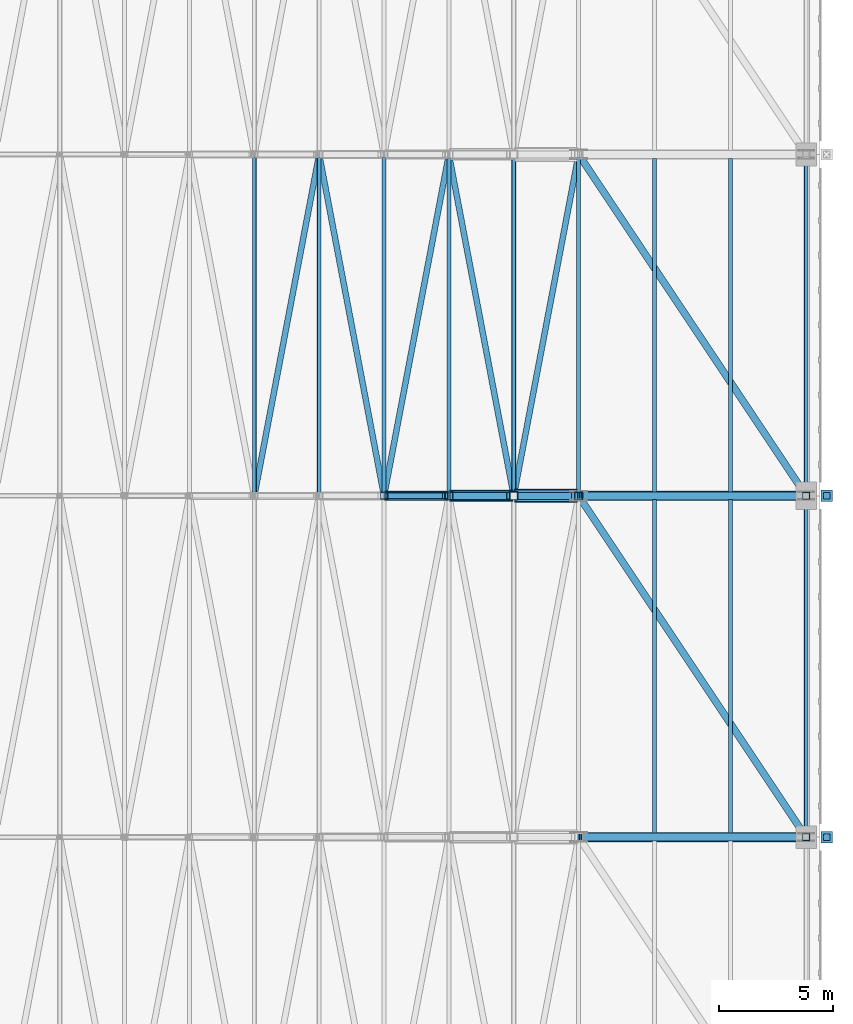
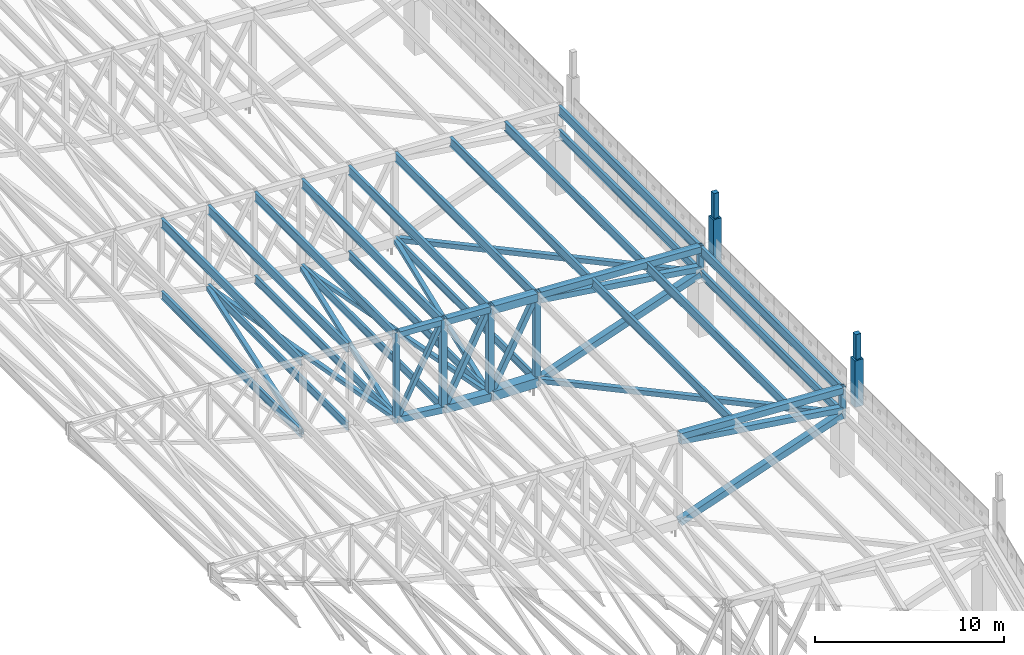
# One storey, part 56 of 278: 36 members, 16 beams.
"""IFC4 building model written with IfcOpenShell, lengths in metres."""

from ifc_helpers import new_model, si_unit, direction, frame, origin, origin_2d, place, context, subcontext, project, spatial, rectangle, hollow_rectangle, i_section, extrude, material, material_profile, profile_set, type_object, element, save


model = new_model("IFC4")

# Units and contexts
model_context = context("Model", 3, precision=1e-05, world=origin(), true_north=direction((0.0, 1.0)))
body_context = subcontext(model_context, "Body", "Model", "MODEL_VIEW")
ifc_project = project(units=[si_unit("LENGTHUNIT", "METRE"), si_unit("AREAUNIT", "SQUARE_METRE"), si_unit("VOLUMEUNIT", "CUBIC_METRE"), si_unit("PLANEANGLEUNIT", "RADIAN"), si_unit("MASSUNIT", "GRAM", prefix="KILO")], contexts=[model_context])

# Site, building, storey
site_placement = place(None, origin())
site = spatial("IfcSite", under=ifc_project, at=site_placement, CompositionType="ELEMENT")
building_placement = place(site_placement, origin())
building = spatial("IfcBuilding", under=site, at=building_placement, Name="Ogive Plaza Stadium", CompositionType="ELEMENT")
storey_placement = place(building_placement, frame((0.0, 0.0, 29.0)))
storey = spatial("IfcBuildingStorey", under=building, at=storey_placement, Name="Roof", CompositionType="ELEMENT", Elevation=29.0)

# Members
ifc_material_1 = material(Name="Concrete C45/55 precast", Category="concrete")
ifc_material_profile_1 = material_profile(ifc_material_1, rectangle(XDim=0.5, YDim=0.5, at=origin_2d()), Name="RC 500x500")
ifc_profile_set_1 = profile_set([ifc_material_profile_1], Name="Concrete C45/55 precast")
member_type_1 = type_object("IfcMemberType", Name="Precast pinnacle 500x500", PredefinedType="POST", material=ifc_profile_set_1)
for number, where, z_axis, x_axis, name in (
    (1, (84.89990234375, -22.5, 4.0), (0.0, 0.0, 1.0), (0.0, 1.0, 0.0), "PINNACLE R06"),
    (2, (84.89990234375, -37.5, 4.0), (0.0, 0.0, 1.0), (0.0, 1.0, 0.0), "PINNACLE R07"),
):
    element("IfcMember", number, at=place(storey_placement, frame(where, z_axis=z_axis, x_axis=x_axis)), inside=storey, type_object=member_type_1, Name=name, PredefinedType="POST", context=body_context, shape_type="SweptSolid", body=[
        extrude(rectangle(XDim=0.5, YDim=0.5, at=origin_2d()), origin(), (0.0, 0.0, 1.0), 3.0),
    ])
ifc_material_2 = material(Name="Concrete C45/55 precast", Category="concrete")
ifc_material_profile_2 = material_profile(ifc_material_2, rectangle(XDim=0.300048828125, YDim=0.300048828125, at=origin_2d()), Name="RC 300x300")
ifc_profile_set_2 = profile_set([ifc_material_profile_2], Name="Concrete C45/55 precast")
member_type_2 = type_object("IfcMemberType", Name="Precast spire 300x300", PredefinedType="MEMBER", material=ifc_profile_set_2)
for number, where, z_axis, x_axis, name in (
    (3, (84.89990234375, -22.5, 7.0), (0.0, 0.0, 1.0), (0.0, 1.0, 0.0), "SPIRE R06"),
    (4, (84.89990234375, -37.5, 7.0), (0.0, 0.0, 1.0), (0.0, 1.0, 0.0), "SPIRE R07"),
):
    element("IfcMember", number, at=place(storey_placement, frame(where, z_axis=z_axis, x_axis=x_axis)), inside=storey, type_object=member_type_2, Name=name, PredefinedType="MEMBER", context=body_context, shape_type="SweptSolid", body=[
        extrude(rectangle(XDim=0.300048828125, YDim=0.300048828125, at=origin_2d()), origin(), (0.0, 0.0, 1.0), 1.60009765625),
    ])
ifc_material_3 = material(Name="Steel ASTM A500 Grade C", Category="steel")
ifc_material_profile_3 = material_profile(ifc_material_3, hollow_rectangle(XDim=0.25390625, YDim=0.25390625, WallThickness=0.0087890625, at=origin_2d()), Name="HSS10X10X3/8")
ifc_profile_set_3 = profile_set([ifc_material_profile_3], Name="Steel ASTM A500 Grade C")
member_type_3 = type_object("IfcMemberType", Name="Roof plan brace HSS10X10X3/8", PredefinedType="BRACE", material=ifc_profile_set_3)
member_1_placement = place(storey_placement, frame((59.77783203125, -22.353271484375, 1.753173828125), z_axis=(0.186534960176, 0.981781820104, -0.036182403809), x_axis=(-0.982425109661, 0.186657182843, 0.0)))
element("IfcMember", 5, at=member_1_placement, inside=storey, type_object=member_type_3, Name="ROOF BRACE B05 6", PredefinedType="BRACE", context=body_context, shape_type="SweptSolid", body=[
    extrude(hollow_rectangle(XDim=0.25390625, YDim=0.25390625, WallThickness=0.0087890625, at=origin_2d()), origin(), (0.0, 0.0, 1.0), 14.9794921875),
])
member_2_placement = place(storey_placement, frame((62.6279296875, -7.646728515625, 1.20166015625), z_axis=(0.186585145076, -0.982045956233, -0.027779911508), x_axis=(0.982425109661, 0.186657182843, 0.0)))
element("IfcMember", 6, at=member_2_placement, inside=storey, type_object=member_type_3, Name="ROOF BRACE B05 7", PredefinedType="BRACE", context=body_context, shape_type="SweptSolid", body=[
    extrude(hollow_rectangle(XDim=0.25390625, YDim=0.25390625, WallThickness=0.0087890625, at=origin_2d()), origin(), (0.0, 0.0, 1.0), 14.975341796875),
])
member_3_placement = place(storey_placement, frame((65.477783203125, -22.353271484375, 0.77880859375), z_axis=(0.186639895054, 0.982268812283, -0.017706778071), x_axis=(-0.982422833867, 0.186669160538, 0.0)))
element("IfcMember", 7, at=member_3_placement, inside=storey, type_object=member_type_3, Name="ROOF BRACE B05 8", PredefinedType="BRACE", context=body_context, shape_type="SweptSolid", body=[
    extrude(hollow_rectangle(XDim=0.25390625, YDim=0.25390625, WallThickness=0.0087890625, at=origin_2d()), origin(), (0.0, 0.0, 1.0), 14.946044921875),
])
member_4_placement = place(storey_placement, frame((68.332763671875, -7.672119140625, 0.50927734375), z_axis=(0.186657320186, -0.982381109131, -0.009295226886), x_axis=(0.982423551356, 0.186665384421, 0.0)))
element("IfcMember", 8, at=member_4_placement, inside=storey, type_object=member_type_3, Name="ROOF BRACE B05 9", PredefinedType="BRACE", context=body_context, shape_type="SweptSolid", body=[
    extrude(hollow_rectangle(XDim=0.25390625, YDim=0.25390625, WallThickness=0.0087890625, at=origin_2d()), origin(), (0.0, 0.0, 1.0), 14.918701171875),
])
member_5_placement = place(storey_placement, frame((71.1826171875, -22.327880859375, 0.368408203125), z_axis=(0.186663720517, 0.982414794197, -0.004222272479), x_axis=(-0.982423551356, 0.186665384421, 0.0)))
element("IfcMember", 9, at=member_5_placement, inside=storey, type_object=member_type_3, Name="ROOF BRACE B05 10", PredefinedType="BRACE", context=body_context, shape_type="SweptSolid", body=[
    extrude(hollow_rectangle(XDim=0.25390625, YDim=0.25390625, WallThickness=0.0087890625, at=origin_2d()), origin(), (0.0, 0.0, 1.0), 14.918212890625),
])
ifc_material_4 = material(Name="Steel ASTM A500 Grade C", Category="steel")
ifc_material_profile_4 = material_profile(ifc_material_4, hollow_rectangle(XDim=0.3046875, YDim=0.3046875, WallThickness=0.0087890625, at=origin_2d()), Name="HSS12X12X3/8")
ifc_profile_set_4 = profile_set([ifc_material_profile_4], Name="Steel ASTM A500 Grade C")
member_type_4 = type_object("IfcMemberType", Name="Roof plan brace HSS12X12X3/8", PredefinedType="BRACE", material=ifc_profile_set_4)
for number, where, z_axis, x_axis, name in (
    (10, (74.158203125, -7.7373046875, 0.358642578125), (0.545096233751, -0.817651210116, 0.185247387419), (0.832052442118, 0.554696974542, 0.0), "ROOF BRACE B05 11"),
    (11, (74.158203125, -22.7373046875, 0.358642578125), (0.545096233751, -0.817651210116, 0.185247387419), (0.832052442118, 0.554696974542, 0.0), "ROOF BRACE B06 11"),
):
    element("IfcMember", number, at=place(storey_placement, frame(where, z_axis=z_axis, x_axis=x_axis)), inside=storey, type_object=member_type_4, Name=name, PredefinedType="BRACE", context=body_context, shape_type="SweptSolid", body=[
        extrude(hollow_rectangle(XDim=0.3046875, YDim=0.3046875, WallThickness=0.0087890625, at=origin_2d()), origin(), (0.0, 0.0, 1.0), 17.7958984375),
    ])
ifc_material_5 = material(Name="Steel ASTM A992 Grade 50", Category="steel")
ifc_material_profile_5 = material_profile(ifc_material_5, i_section(OverallWidth=0.1650390625, OverallDepth=0.524658203125, WebThickness=0.0087890625, FlangeThickness=0.011474609375, at=origin_2d()), Name="W21X44")
ifc_profile_set_5 = profile_set([ifc_material_profile_5], Name="Steel ASTM A992 Grade 50")
member_type_5 = type_object("IfcMemberType", Name="Roof plan strut W21X44", PredefinedType="STRUT", material=ifc_profile_set_5)
for number, where, z_axis, x_axis, name in (
    (12, (59.75, -7.622314453125, 1.758544921875), (0.0, -1.0, 0.0), (1.0, 0.0, 0.0), "ROOF STRUT B05 5"),
    (13, (62.60009765625, -7.622314453125, 1.205810546875), (0.0, -1.0, 0.0), (1.0, 0.0, 0.0), "ROOF STRUT B05 6"),
    (14, (65.449951171875, -7.622314453125, 0.781494140625), (0.0, -1.0, 0.0), (1.0, 0.0, 0.0), "ROOF STRUT B05 7"),
):
    element("IfcMember", number, at=place(storey_placement, frame(where, z_axis=z_axis, x_axis=x_axis)), inside=storey, type_object=member_type_5, Name=name, PredefinedType="STRUT", context=body_context, shape_type="SweptSolid", body=[
        extrude(i_section(OverallWidth=0.1650390625, OverallDepth=0.524658203125, WebThickness=0.0087890625, FlangeThickness=0.011474609375, at=origin_2d()), origin(), (0.0, 0.0, 1.0), 14.75537109375),
    ])
for number, where, z_axis, x_axis, name in (
    (15, (68.300048828125, -7.647705078125, 0.510986328125), (0.0, -1.0, 0.0), (1.0, 0.0, 0.0), "ROOF STRUT B05 8"),
    (16, (71.14990234375, -7.647705078125, 0.369140625), (0.0, -1.0, 0.0), (1.0, 0.0, 0.0), "ROOF STRUT B05 9"),
    (17, (74.0, -7.647705078125, 0.3046875), (0.0, -1.0, 0.0), (1.0, 0.0, 0.0), "ROOF STRUT B05 10"),
):
    element("IfcMember", number, at=place(storey_placement, frame(where, z_axis=z_axis, x_axis=x_axis)), inside=storey, type_object=member_type_5, Name=name, PredefinedType="STRUT", context=body_context, shape_type="SweptSolid", body=[
        extrude(i_section(OverallWidth=0.1650390625, OverallDepth=0.524658203125, WebThickness=0.0087890625, FlangeThickness=0.011474609375, at=origin_2d()), origin(), (0.0, 0.0, 1.0), 14.70458984375),
    ])
for number, where, z_axis, x_axis, name in (
    (18, (84.0, -7.622314453125, 3.703125), (0.0, -1.0, 0.0), (1.0, 0.0, 0.0), "ROOF STRUT B05 11"),
    (19, (84.0, -22.622314453125, 3.703125), (0.0, -1.0, 0.0), (1.0, 0.0, 0.0), "ROOF STRUT B06 11"),
):
    element("IfcMember", number, at=place(storey_placement, frame(where, z_axis=z_axis, x_axis=x_axis)), inside=storey, type_object=member_type_5, Name=name, PredefinedType="STRUT", context=body_context, shape_type="SweptSolid", body=[
        extrude(i_section(OverallWidth=0.1650390625, OverallDepth=0.524658203125, WebThickness=0.0087890625, FlangeThickness=0.011474609375, at=origin_2d()), origin(), (0.0, 0.0, 1.0), 14.75537109375),
    ])
ifc_material_6 = material(Name="Steel ASTM A992 Grade 50", Category="steel")
ifc_material_profile_6 = material_profile(ifc_material_6, i_section(OverallWidth=0.177978515625, OverallDepth=0.5986328125, WebThickness=0.010009765625, FlangeThickness=0.012939453125, at=origin_2d()), Name="W24X55")
ifc_profile_set_6 = profile_set([ifc_material_profile_6], Name="Steel ASTM A992 Grade 50")
member_type_6 = type_object("IfcMemberType", Name="Roof purlin W24X55", PredefinedType="PURLIN", material=ifc_profile_set_6)
for number, where, z_axis, x_axis, name in (
    (20, (59.75, -7.622314453125, 6.4130859375), (0.0, -1.0, 0.0), (1.0, 0.0, 0.0), "ROOF PURLIN B05 5"),
    (21, (62.60009765625, -7.622314453125, 6.270751953125), (0.0, -1.0, 0.0), (1.0, 0.0, 0.0), "ROOF PURLIN B05 6"),
    (22, (65.449951171875, -7.622314453125, 6.128173828125), (0.0, -1.0, 0.0), (1.0, 0.0, 0.0), "ROOF PURLIN B05 7"),
):
    element("IfcMember", number, at=place(storey_placement, frame(where, z_axis=z_axis, x_axis=x_axis)), inside=storey, type_object=member_type_6, Name=name, PredefinedType="PURLIN", context=body_context, shape_type="SweptSolid", body=[
        extrude(i_section(OverallWidth=0.177978515625, OverallDepth=0.5986328125, WebThickness=0.010009765625, FlangeThickness=0.012939453125, at=origin_2d()), origin(), (0.0, 0.0, 1.0), 14.75537109375),
    ])
for number, where, z_axis, x_axis, name in (
    (23, (68.300048828125, -7.647705078125, 5.985595703125), (0.0, -1.0, 0.0), (1.0, 0.0, 0.0), "ROOF PURLIN B05 8"),
    (24, (71.14990234375, -7.647705078125, 5.84326171875), (0.0, -1.0, 0.0), (1.0, 0.0, 0.0), "ROOF PURLIN B05 9"),
    (25, (74.0, -7.647705078125, 5.70068359375), (0.0, -1.0, 0.0), (1.0, 0.0, 0.0), "ROOF PURLIN B05 10"),
):
    element("IfcMember", number, at=place(storey_placement, frame(where, z_axis=z_axis, x_axis=x_axis)), inside=storey, type_object=member_type_6, Name=name, PredefinedType="PURLIN", context=body_context, shape_type="SweptSolid", body=[
        extrude(i_section(OverallWidth=0.177978515625, OverallDepth=0.5986328125, WebThickness=0.010009765625, FlangeThickness=0.012939453125, at=origin_2d()), origin(), (0.0, 0.0, 1.0), 14.70458984375),
    ])
for number, where, z_axis, x_axis, name in (
    (26, (77.333251953125, -7.673095703125, 5.533935546875), (0.0, -1.0, 0.0), (1.0, 0.0, 0.0), "ROOF PURLIN B05 11"),
    (27, (80.666748046875, -7.673095703125, 5.367431640625), (0.0, -1.0, 0.0), (1.0, 0.0, 0.0), "ROOF PURLIN B05 12"),
):
    element("IfcMember", number, at=place(storey_placement, frame(where, z_axis=z_axis, x_axis=x_axis)), inside=storey, type_object=member_type_6, Name=name, PredefinedType="PURLIN", context=body_context, shape_type="SweptSolid", body=[
        extrude(i_section(OverallWidth=0.177978515625, OverallDepth=0.5986328125, WebThickness=0.010009765625, FlangeThickness=0.012939453125, at=origin_2d()), origin(), (0.0, 0.0, 1.0), 14.65380859375),
    ])
member_6_placement = place(storey_placement, frame((84.0, -7.622314453125, 5.20068359375), z_axis=(0.0, -1.0, 0.0), x_axis=(1.0, 0.0, 0.0)))
element("IfcMember", 28, at=member_6_placement, inside=storey, type_object=member_type_6, Name="ROOF PURLIN B05 13", PredefinedType="PURLIN", context=body_context, shape_type="SweptSolid", body=[
    extrude(i_section(OverallWidth=0.177978515625, OverallDepth=0.5986328125, WebThickness=0.010009765625, FlangeThickness=0.012939453125, at=origin_2d()), origin(), (0.0, 0.0, 1.0), 14.75537109375),
])
for number, where, z_axis, x_axis, name in (
    (29, (77.333251953125, -22.673095703125, 5.533935546875), (0.0, -1.0, 0.0), (1.0, 0.0, 0.0), "ROOF PURLIN B06 11"),
    (30, (80.666748046875, -22.673095703125, 5.367431640625), (0.0, -1.0, 0.0), (1.0, 0.0, 0.0), "ROOF PURLIN B06 12"),
):
    element("IfcMember", number, at=place(storey_placement, frame(where, z_axis=z_axis, x_axis=x_axis)), inside=storey, type_object=member_type_6, Name=name, PredefinedType="PURLIN", context=body_context, shape_type="SweptSolid", body=[
        extrude(i_section(OverallWidth=0.177978515625, OverallDepth=0.5986328125, WebThickness=0.010009765625, FlangeThickness=0.012939453125, at=origin_2d()), origin(), (0.0, 0.0, 1.0), 14.65380859375),
    ])
member_7_placement = place(storey_placement, frame((84.0, -22.622314453125, 5.20068359375), z_axis=(0.0, -1.0, 0.0), x_axis=(1.0, 0.0, 0.0)))
element("IfcMember", 31, at=member_7_placement, inside=storey, type_object=member_type_6, Name="ROOF PURLIN B06 13", PredefinedType="PURLIN", context=body_context, shape_type="SweptSolid", body=[
    extrude(i_section(OverallWidth=0.177978515625, OverallDepth=0.5986328125, WebThickness=0.010009765625, FlangeThickness=0.012939453125, at=origin_2d()), origin(), (0.0, 0.0, 1.0), 14.75537109375),
])

# Beams
ifc_material_7 = material(Name="Steel ASTM A500 Grade C", Category="steel")
ifc_material_profile_7 = material_profile(ifc_material_7, hollow_rectangle(XDim=0.406494140625, YDim=0.406494140625, WallThickness=0.0146484375, at=origin_2d()), Name="HSS16X16X5/8")
ifc_profile_set_7 = profile_set([ifc_material_profile_7], Name="Steel ASTM A500 Grade C")
beam_type_1 = type_object("IfcBeamType", Name="Roof truss back-span bottom chord HSS16X16X5/8", PredefinedType="BEAM", material=ifc_profile_set_7)
for number, where, z_axis, x_axis, name in (
    (32, (74.050048828125, -22.5, 0.232666015625), (0.943851085966, 0.0, 0.330371196567), (0.0, 1.0, 0.0), "ROOF TRUSS T06 BOTTOM CHORD 11"),
    (33, (74.050048828125, -37.5, 0.232666015625), (0.943851085966, 0.0, 0.330371196567), (0.0, 1.0, 0.0), "ROOF TRUSS T07 BOTTOM CHORD 11"),
):
    element("IfcBeam", number, at=place(storey_placement, frame(where, z_axis=z_axis, x_axis=x_axis)), inside=storey, type_object=beam_type_1, Name=name, PredefinedType="BEAM", context=body_context, shape_type="SweptSolid", body=[
        extrude(hollow_rectangle(XDim=0.406494140625, YDim=0.406494140625, WallThickness=0.0146484375, at=origin_2d()), origin(), (0.0, 0.0, 1.0), 10.470703125),
    ])
ifc_material_8 = material(Name="Steel ASTM A500 Grade C", Category="steel")
ifc_material_profile_8 = material_profile(ifc_material_8, hollow_rectangle(XDim=0.406494140625, YDim=0.406494140625, WallThickness=0.0146484375, at=origin_2d()), Name="HSS16X16X5/8")
ifc_profile_set_8 = profile_set([ifc_material_profile_8], Name="Steel ASTM A500 Grade C")
beam_type_2 = type_object("IfcBeamType", Name="Roof truss back-span top chord HSS16X16X5/8", PredefinedType="BEAM", material=ifc_profile_set_8)
for number, where, z_axis, x_axis, name in (
    (34, (74.050048828125, -22.5, 5.7939453125), (0.998752953021, 0.0, -0.049925332571), (0.0, 1.0, 0.0), "ROOF TRUSS T06 TOP CHORD 11"),
    (35, (74.050048828125, -37.5, 5.7939453125), (0.998752953021, 0.0, -0.049925332571), (0.0, 1.0, 0.0), "ROOF TRUSS T07 TOP CHORD 11"),
):
    element("IfcBeam", number, at=place(storey_placement, frame(where, z_axis=z_axis, x_axis=x_axis)), inside=storey, type_object=beam_type_2, Name=name, PredefinedType="BEAM", context=body_context, shape_type="SweptSolid", body=[
        extrude(hollow_rectangle(XDim=0.406494140625, YDim=0.406494140625, WallThickness=0.0146484375, at=origin_2d()), origin(), (0.0, 0.0, 1.0), 9.912353515625),
    ])

# Members
ifc_material_9 = material(Name="Steel ASTM A500 Grade C", Category="steel")
ifc_material_profile_9 = material_profile(ifc_material_9, hollow_rectangle(XDim=0.355712890625, YDim=0.355712890625, WallThickness=0.0146484375, at=origin_2d()), Name="HSS14X14X5/8")
ifc_profile_set_9 = profile_set([ifc_material_profile_9], Name="Steel ASTM A500 Grade C")
member_type_7 = type_object("IfcMemberType", Name="Roof truss back-stay HSS14X14X5/8", PredefinedType="BRACE", material=ifc_profile_set_9)
for number, where, z_axis, x_axis, name in (
    (36, (74.093017578125, -22.5, 5.45654296875), (0.989844100519, 0.0, -0.142157154826), (0.0, 1.0, 0.0), "BACK-STAY T06"),
    (37, (74.093017578125, -37.5, 5.45654296875), (0.989844100519, 0.0, -0.142157154826), (0.0, 1.0, 0.0), "BACK-STAY T07"),
):
    element("IfcMember", number, at=place(storey_placement, frame(where, z_axis=z_axis, x_axis=x_axis)), inside=storey, type_object=member_type_7, Name=name, PredefinedType="BRACE", context=body_context, shape_type="SweptSolid", body=[
        extrude(hollow_rectangle(XDim=0.355712890625, YDim=0.355712890625, WallThickness=0.0146484375, at=origin_2d()), origin(), (0.0, 0.0, 1.0), 9.9404296875),
    ])

# Beams
ifc_material_10 = material(Name="Steel ASTM A500 Grade C", Category="steel")
ifc_material_profile_10 = material_profile(ifc_material_10, hollow_rectangle(XDim=0.406494140625, YDim=0.406494140625, WallThickness=0.0146484375, at=origin_2d()), Name="HSS16X16X5/8")
ifc_profile_set_10 = profile_set([ifc_material_profile_10], Name="Steel ASTM A500 Grade C")
beam_type_3 = type_object("IfcBeamType", Name="Roof truss bottom chord HSS16X16X5/8", PredefinedType="BEAM", material=ifc_profile_set_10)
beam_1_placement = place(storey_placement, frame((65.5, -22.5, 0.777099609375), z_axis=(0.993703844406, 0.0, -0.112038696946), x_axis=(0.0, 1.0, 0.0)))
element("IfcBeam", 38, at=beam_1_placement, inside=storey, type_object=beam_type_3, Name="ROOF TRUSS T06 BOTTOM CHORD 8", PredefinedType="BEAM", context=body_context, shape_type="SweptSolid", body=[
    extrude(hollow_rectangle(XDim=0.406494140625, YDim=0.406494140625, WallThickness=0.0146484375, at=origin_2d()), origin(), (0.0, 0.0, 1.0), 2.767333984375),
])
ifc_material_11 = material(Name="Steel ASTM A500 Grade C", Category="steel")
ifc_material_profile_11 = material_profile(ifc_material_11, hollow_rectangle(XDim=0.508056640625, YDim=0.508056640625, WallThickness=0.0146484375, at=origin_2d()), Name="HSS20X20X5/8")
ifc_profile_set_11 = profile_set([ifc_material_profile_11], Name="Steel ASTM A500 Grade C")
beam_type_4 = type_object("IfcBeamType", Name="Roof truss bottom chord HSS20X20X5/8", PredefinedType="BEAM", material=ifc_profile_set_11)
beam_2_placement = place(storey_placement, frame((68.35009765625, -22.5, 0.50830078125), z_axis=(0.997719620387, 0.0, -0.06749488199), x_axis=(0.0, 1.0, 0.0)))
element("IfcBeam", 39, at=beam_2_placement, inside=storey, type_object=beam_type_4, Name="ROOF TRUSS T06 BOTTOM CHORD 9", PredefinedType="BEAM", context=body_context, shape_type="SweptSolid", body=[
    extrude(hollow_rectangle(XDim=0.508056640625, YDim=0.508056640625, WallThickness=0.0146484375, at=origin_2d()), origin(), (0.0, 0.0, 1.0), 2.75634765625),
])
ifc_material_12 = material(Name="Steel ASTM A500 Grade C", Category="steel")
ifc_material_profile_12 = material_profile(ifc_material_12, hollow_rectangle(XDim=0.609619140625, YDim=0.609619140625, WallThickness=0.0146484375, at=origin_2d()), Name="HSS24X24X5/8")
ifc_profile_set_12 = profile_set([ifc_material_profile_12], Name="Steel ASTM A500 Grade C")
beam_type_5 = type_object("IfcBeamType", Name="Roof truss bottom chord HSS24X24X5/8", PredefinedType="BEAM", material=ifc_profile_set_12)
beam_3_placement = place(storey_placement, frame((71.199951171875, -22.5, 0.367919921875), z_axis=(0.999745852076, 0.0, -0.022543984946), x_axis=(0.0, 1.0, 0.0)))
element("IfcBeam", 40, at=beam_3_placement, inside=storey, type_object=beam_type_5, Name="ROOF TRUSS T06 BOTTOM CHORD 10", PredefinedType="BEAM", context=body_context, shape_type="SweptSolid", body=[
    extrude(hollow_rectangle(XDim=0.609619140625, YDim=0.609619140625, WallThickness=0.0146484375, at=origin_2d()), origin(), (0.0, 0.0, 1.0), 2.750732421875),
])

# Members
ifc_material_13 = material(Name="Steel ASTM A500 Grade C", Category="steel")
ifc_material_profile_13 = material_profile(ifc_material_13, hollow_rectangle(XDim=0.25390625, YDim=0.25390625, WallThickness=0.0087890625, at=origin_2d()), Name="HSS10X10X3/8")
ifc_profile_set_13 = profile_set([ifc_material_profile_13], Name="Steel ASTM A500 Grade C")
member_type_8 = type_object("IfcMemberType", Name="Roof truss diagonal HSS10X10X3/8", PredefinedType="BRACE", material=ifc_profile_set_13)
member_8_placement = place(storey_placement, frame((65.602294921875, -22.5, 0.984619140625), z_axis=(0.454062843231, 0.0, 0.890969659639), x_axis=(0.0, 1.0, 0.0)))
element("IfcMember", 41, at=member_8_placement, inside=storey, type_object=member_type_8, Name="ROOF TRUSS T06 DIAGONAL 8", PredefinedType="BRACE", context=body_context, shape_type="SweptSolid", body=[
    extrude(hollow_rectangle(XDim=0.25390625, YDim=0.25390625, WallThickness=0.0087890625, at=origin_2d()), origin(), (0.0, 0.0, 1.0), 5.550048828125),
])
ifc_material_14 = material(Name="Steel ASTM A500 Grade C", Category="steel")
ifc_material_profile_14 = material_profile(ifc_material_14, hollow_rectangle(XDim=0.3046875, YDim=0.3046875, WallThickness=0.0087890625, at=origin_2d()), Name="HSS12X12X3/8")
ifc_profile_set_14 = profile_set([ifc_material_profile_14], Name="Steel ASTM A500 Grade C")
member_type_9 = type_object("IfcMemberType", Name="Roof truss diagonal HSS12X12X3/8", PredefinedType="BRACE", material=ifc_profile_set_14)
member_9_placement = place(storey_placement, frame((68.477783203125, -22.5, 0.764892578125), z_axis=(0.448477330766, 0.0, 0.893794206621), x_axis=(0.0, 1.0, 0.0)))
element("IfcMember", 42, at=member_9_placement, inside=storey, type_object=member_type_9, Name="ROOF TRUSS T06 DIAGONAL 9", PredefinedType="BRACE", context=body_context, shape_type="SweptSolid", body=[
    extrude(hollow_rectangle(XDim=0.3046875, YDim=0.3046875, WallThickness=0.0087890625, at=origin_2d()), origin(), (0.0, 0.0, 1.0), 5.56201171875),
])
member_10_placement = place(storey_placement, frame((71.327880859375, -22.5, 0.673828125), z_axis=(0.459750963822, 0.0, 0.888047887934), x_axis=(0.0, 1.0, 0.0)))
element("IfcMember", 43, at=member_10_placement, inside=storey, type_object=member_type_9, Name="ROOF TRUSS T06 DIAGONAL 10", PredefinedType="BRACE", context=body_context, shape_type="SweptSolid", body=[
    extrude(hollow_rectangle(XDim=0.3046875, YDim=0.3046875, WallThickness=0.0087890625, at=origin_2d()), origin(), (0.0, 0.0, 1.0), 5.425537109375),
])

# Beams
ifc_material_15 = material(Name="Steel ASTM A500 Grade C", Category="steel")
ifc_material_profile_15 = material_profile(ifc_material_15, hollow_rectangle(XDim=0.3046875, YDim=0.3046875, WallThickness=0.01171875, at=origin_2d()), Name="HSS12X12X1/2")
ifc_profile_set_15 = profile_set([ifc_material_profile_15], Name="Steel ASTM A500 Grade C")
beam_type_6 = type_object("IfcBeamType", Name="Roof truss post HSS12X12X1/2", PredefinedType="BEAM", material=ifc_profile_set_15)
for number, where, z_axis, x_axis, name in (
    (44, (84.0, -22.5, 3.43994140625), (0.0, 0.0, 1.0), (0.0, 1.0, 0.0), "ROOF TRUSS T06 POST 12"),
    (45, (84.0, -37.5, 3.43994140625), (0.0, 0.0, 1.0), (0.0, 1.0, 0.0), "ROOF TRUSS T07 POST 12"),
):
    element("IfcBeam", number, at=place(storey_placement, frame(where, z_axis=z_axis, x_axis=x_axis)), inside=storey, type_object=beam_type_6, Name=name, PredefinedType="BEAM", context=body_context, shape_type="SweptSolid", body=[
        extrude(hollow_rectangle(XDim=0.3046875, YDim=0.3046875, WallThickness=0.01171875, at=origin_2d()), origin(), (0.0, 0.0, 1.0), 2.06005859375),
    ])
ifc_material_16 = material(Name="Steel ASTM A500 Grade C", Category="steel")
ifc_material_profile_16 = material_profile(ifc_material_16, hollow_rectangle(XDim=0.3046875, YDim=0.3046875, WallThickness=0.0146484375, at=origin_2d()), Name="HSS12X12X5/8")
ifc_profile_set_16 = profile_set([ifc_material_profile_16], Name="Steel ASTM A500 Grade C")
beam_type_7 = type_object("IfcBeamType", Name="Roof truss post HSS12X12X5/8", PredefinedType="BEAM", material=ifc_profile_set_16)
beam_4_placement = place(storey_placement, frame((65.449951171875, -22.5, 0.578369140625), z_axis=(0.0, 0.0, 1.0), x_axis=(0.0, 1.0, 0.0)))
element("IfcBeam", 46, at=beam_4_placement, inside=storey, type_object=beam_type_7, Name="ROOF TRUSS T06 POST 8", PredefinedType="BEAM", context=body_context, shape_type="SweptSolid", body=[
    extrude(hollow_rectangle(XDim=0.3046875, YDim=0.3046875, WallThickness=0.0146484375, at=origin_2d()), origin(), (0.0, 0.0, 1.0), 5.84912109375),
])
ifc_material_17 = material(Name="Steel ASTM A500 Grade C", Category="steel")
ifc_material_profile_17 = material_profile(ifc_material_17, hollow_rectangle(XDim=0.355712890625, YDim=0.355712890625, WallThickness=0.0146484375, at=origin_2d()), Name="HSS14X14X5/8")
ifc_profile_set_17 = profile_set([ifc_material_profile_17], Name="Steel ASTM A500 Grade C")
beam_type_8 = type_object("IfcBeamType", Name="Roof truss post HSS14X14X5/8", PredefinedType="BEAM", material=ifc_profile_set_17)
beam_5_placement = place(storey_placement, frame((68.300048828125, -22.5, 0.257080078125), z_axis=(0.0, 0.0, 1.0), x_axis=(0.0, 1.0, 0.0)))
element("IfcBeam", 47, at=beam_5_placement, inside=storey, type_object=beam_type_8, Name="ROOF TRUSS T06 POST 9", PredefinedType="BEAM", context=body_context, shape_type="SweptSolid", body=[
    extrude(hollow_rectangle(XDim=0.355712890625, YDim=0.355712890625, WallThickness=0.0146484375, at=origin_2d()), origin(), (0.0, 0.0, 1.0), 6.02783203125),
])
beam_6_placement = place(storey_placement, frame((71.14990234375, -22.5, 0.064208984375), z_axis=(0.0, 0.0, 1.0), x_axis=(0.0, 1.0, 0.0)))
element("IfcBeam", 48, at=beam_6_placement, inside=storey, type_object=beam_type_8, Name="ROOF TRUSS T06 POST 10", PredefinedType="BEAM", context=body_context, shape_type="SweptSolid", body=[
    extrude(hollow_rectangle(XDim=0.355712890625, YDim=0.355712890625, WallThickness=0.0146484375, at=origin_2d()), origin(), (0.0, 0.0, 1.0), 6.078369140625),
])
beam_7_placement = place(storey_placement, frame((74.0, -22.5, -0.06005859375), z_axis=(0.0, 0.0, 1.0), x_axis=(0.0, 1.0, 0.0)))
element("IfcBeam", 49, at=beam_7_placement, inside=storey, type_object=beam_type_8, Name="ROOF TRUSS T06 POST 11", PredefinedType="BEAM", context=body_context, shape_type="SweptSolid", body=[
    extrude(hollow_rectangle(XDim=0.355712890625, YDim=0.355712890625, WallThickness=0.0146484375, at=origin_2d()), origin(), (0.0, 0.0, 1.0), 6.06005859375),
])
ifc_material_18 = material(Name="Steel ASTM A500 Grade C", Category="steel")
ifc_material_profile_18 = material_profile(ifc_material_18, hollow_rectangle(XDim=0.355712890625, YDim=0.355712890625, WallThickness=0.01171875, at=origin_2d()), Name="HSS14X14X1/2")
ifc_profile_set_18 = profile_set([ifc_material_profile_18], Name="Steel ASTM A500 Grade C")
beam_type_9 = type_object("IfcBeamType", Name="Roof truss top chord HSS14X14X1/2", PredefinedType="BEAM", material=ifc_profile_set_18)
beam_8_placement = place(storey_placement, frame((65.5, -22.5, 6.2470703125), z_axis=(0.998748798523, 0.0, -0.05000837379), x_axis=(0.0, 1.0, 0.0)))
element("IfcBeam", 50, at=beam_8_placement, inside=storey, type_object=beam_type_9, Name="ROOF TRUSS T06 TOP CHORD 8", PredefinedType="BEAM", context=body_context, shape_type="SweptSolid", body=[
    extrude(hollow_rectangle(XDim=0.355712890625, YDim=0.355712890625, WallThickness=0.01171875, at=origin_2d()), origin(), (0.0, 0.0, 1.0), 2.75341796875),
])
ifc_material_19 = material(Name="Steel ASTM A500 Grade C", Category="steel")
ifc_material_profile_19 = material_profile(ifc_material_19, hollow_rectangle(XDim=0.406494140625, YDim=0.406494140625, WallThickness=0.01171875, at=origin_2d()), Name="HSS16X16X1/2")
ifc_profile_set_19 = profile_set([ifc_material_profile_19], Name="Steel ASTM A500 Grade C")
beam_type_10 = type_object("IfcBeamType", Name="Roof truss top chord HSS16X16X1/2", PredefinedType="BEAM", material=ifc_profile_set_19)
beam_9_placement = place(storey_placement, frame((68.35009765625, -22.5, 6.0791015625), z_axis=(0.998753223187, 0.0, -0.049919927615), x_axis=(0.0, 1.0, 0.0)))
element("IfcBeam", 51, at=beam_9_placement, inside=storey, type_object=beam_type_10, Name="ROOF TRUSS T06 TOP CHORD 9", PredefinedType="BEAM", context=body_context, shape_type="SweptSolid", body=[
    extrude(hollow_rectangle(XDim=0.406494140625, YDim=0.406494140625, WallThickness=0.01171875, at=origin_2d()), origin(), (0.0, 0.0, 1.0), 2.75341796875),
])
ifc_material_20 = material(Name="Steel ASTM A500 Grade C", Category="steel")
ifc_material_profile_20 = material_profile(ifc_material_20, hollow_rectangle(XDim=0.508056640625, YDim=0.508056640625, WallThickness=0.0146484375, at=origin_2d()), Name="HSS20X20X5/8")
ifc_profile_set_20 = profile_set([ifc_material_profile_20], Name="Steel ASTM A500 Grade C")
beam_type_11 = type_object("IfcBeamType", Name="Roof truss top chord HSS20X20X5/8", PredefinedType="BEAM", material=ifc_profile_set_20)
beam_10_placement = place(storey_placement, frame((71.199951171875, -22.5, 5.8857421875), z_axis=(0.998753223187, 0.0, -0.049919927615), x_axis=(0.0, 1.0, 0.0)))
element("IfcBeam", 52, at=beam_10_placement, inside=storey, type_object=beam_type_11, Name="ROOF TRUSS T06 TOP CHORD 10", PredefinedType="BEAM", context=body_context, shape_type="SweptSolid", body=[
    extrude(hollow_rectangle(XDim=0.508056640625, YDim=0.508056640625, WallThickness=0.0146484375, at=origin_2d()), origin(), (0.0, 0.0, 1.0), 2.75341796875),
])

save(model, "model.ifc")
